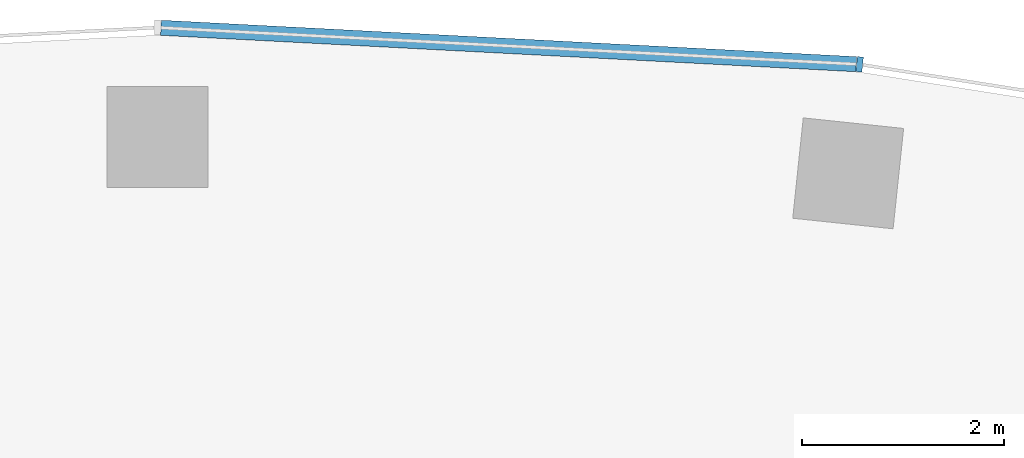
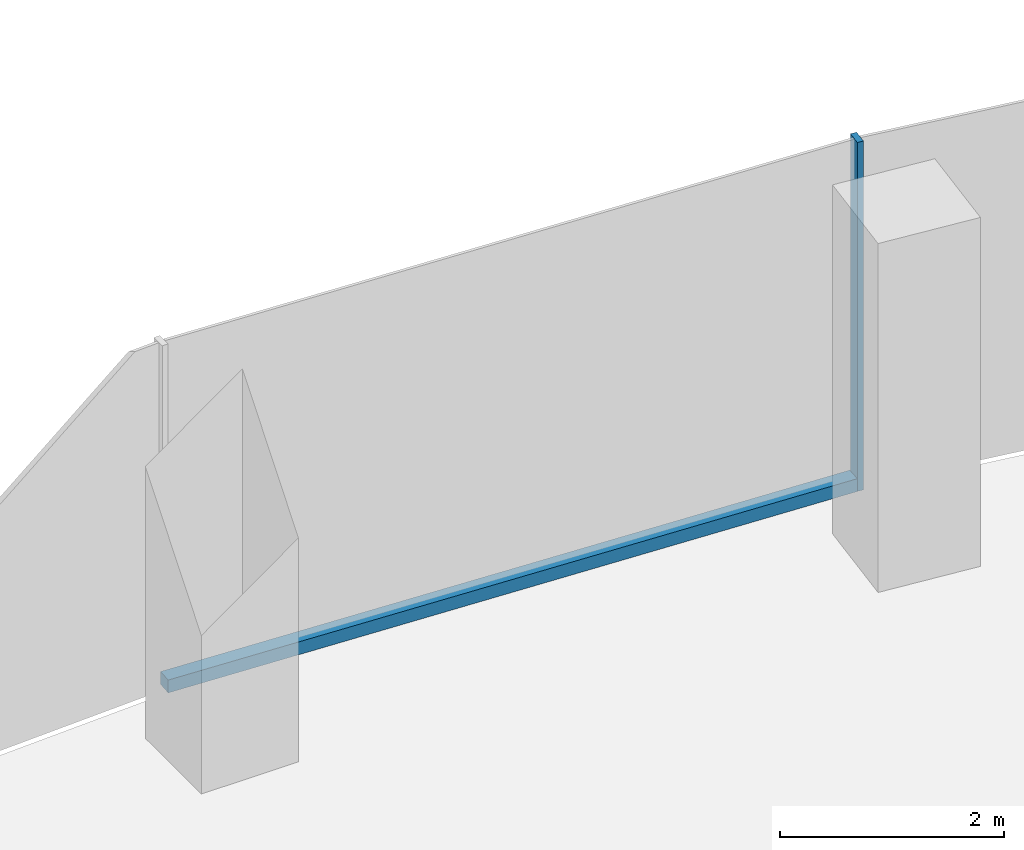
# One storey, part 7 of 20: 2 members, 1 element without a shape of its own.
"""IFC4 building model written with IfcOpenShell, lengths in metres."""

from ifc_helpers import new_model, si_unit, direction, frame, origin, origin_2d, place, context, subcontext, project, spatial, rectangle, extrude, material, layer, layer_set, material_profile, profile_set, type_object, element, aggregate, save


model = new_model("IFC4")

# Units and contexts
model_context = context("Model", 3, precision=1e-05, world=origin(), true_north=direction((0.0, 1.0)))
body_context = subcontext(model_context, "Body", "Model", "MODEL_VIEW")
ifc_project = project(units=[si_unit("LENGTHUNIT", "METRE"), si_unit("AREAUNIT", "SQUARE_METRE"), si_unit("VOLUMEUNIT", "CUBIC_METRE"), si_unit("PLANEANGLEUNIT", "RADIAN"), si_unit("MASSUNIT", "GRAM", prefix="KILO")], contexts=[model_context])

# Site, building, storey
site_placement = place(None, origin())
site = spatial("IfcSite", under=ifc_project, at=site_placement, CompositionType="ELEMENT")
building_placement = place(site_placement, origin())
building = spatial("IfcBuilding", under=site, at=building_placement, Name="Stone Belt Terrace Tower", CompositionType="ELEMENT")
storey_placement = place(building_placement, frame((0.0, 0.0, 170.60009765625)))
storey = spatial("IfcBuildingStorey", under=building, at=storey_placement, Name="L41", CompositionType="ELEMENT", Elevation=170.60009765625)

# Curtain wall, members
ifc_material = material(Name="Aluminium 6063-T6 anodised frame", Category="aluminium")
ifc_layer = layer(ifc_material, 0.14990234375)
ifc_layer_set = layer_set([ifc_layer], Name="CW-A unitised convex-face curtain wall")
curtain_wall_type = type_object("IfcCurtainWallType", Name="CW-A unitised convex-face curtain wall", PredefinedType="NOTDEFINED", material=ifc_layer_set)
curtain_wall_placement = place(storey_placement, origin())
curtain_wall = element("IfcCurtainWall", 1, at=curtain_wall_placement, inside=storey, type_object=curtain_wall_type, Name="CW-A convex face L41", PredefinedType="NOTDEFINED")
ifc_material_profile_1 = material_profile(ifc_material, rectangle(XDim=0.14990234375, YDim=0.06005859375, at=origin_2d()), Name="Aluminium 6063-T6 60x150")
ifc_profile_set_1 = profile_set([ifc_material_profile_1], Name="Aluminium 6063-T6 anodised frame")
member_type_1 = type_object("IfcMemberType", Name="CW-A mullion 60 x 150", PredefinedType="MULLION", material=ifc_profile_set_1)
member_1_placement = place(storey_placement, frame((6.958984375, 66.21044921875, 0.0), z_axis=(0.0, 0.0, 1.0), x_axis=(-0.104528463268, -0.994521895368, 0.0)))
member_1 = element("IfcMember", 2, at=member_1_placement, type_object=member_type_1, Name="CW-A mullion 7", PredefinedType="MULLION", context=body_context, shape_type="SweptSolid", body=[
    extrude(rectangle(XDim=0.14990234375, YDim=0.06005859375, at=origin_2d()), origin(), (0.0, 0.0, 1.0), 3.7998046875),
])
ifc_material_profile_2 = material_profile(ifc_material, rectangle(XDim=0.14990234375, YDim=0.139892578125, at=origin_2d()), Name="Aluminium 6063-T6 150x140")
ifc_profile_set_2 = profile_set([ifc_material_profile_2], Name="Aluminium 6063-T6 anodised frame")
member_type_2 = type_object("IfcMemberType", Name="CW-A transom 140 x 150", PredefinedType="USERDEFINED", material=ifc_profile_set_2)
member_2_placement = place(storey_placement, frame((6.925048828125, 66.212158203125, 0.06982421875), z_axis=(-0.998630019135, 0.052326712899, 0.0), x_axis=(-0.052326712899, -0.998630019135, 0.0)))
member_2 = element("IfcMember", 3, at=member_2_placement, type_object=member_type_2, Name="CW-A transom 7.1", ObjectType="TRANSOM", PredefinedType="USERDEFINED", context=body_context, shape_type="SweptSolid", body=[
    extrude(rectangle(XDim=0.14990234375, YDim=0.139892578125, at=origin_2d()), origin(), (0.0, 0.0, 1.0), 6.900634765625),
])
aggregate(curtain_wall, [member_1, member_2])

save(model, "model.ifc")
